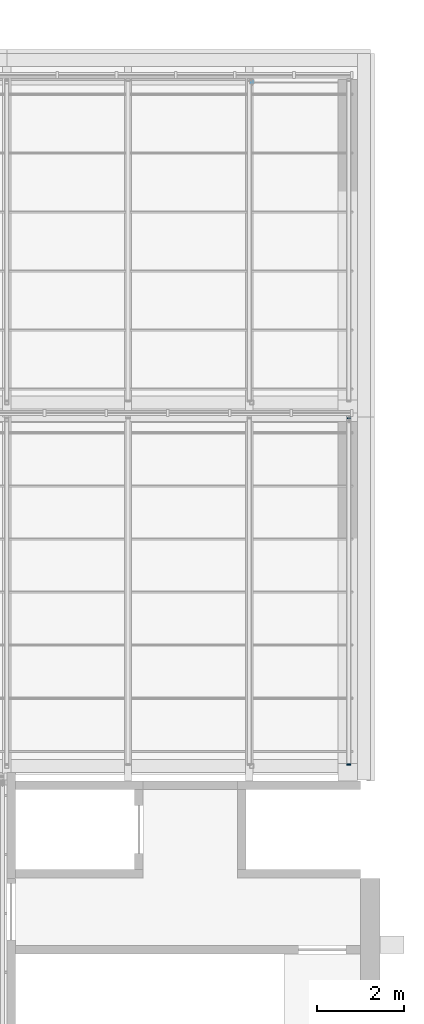
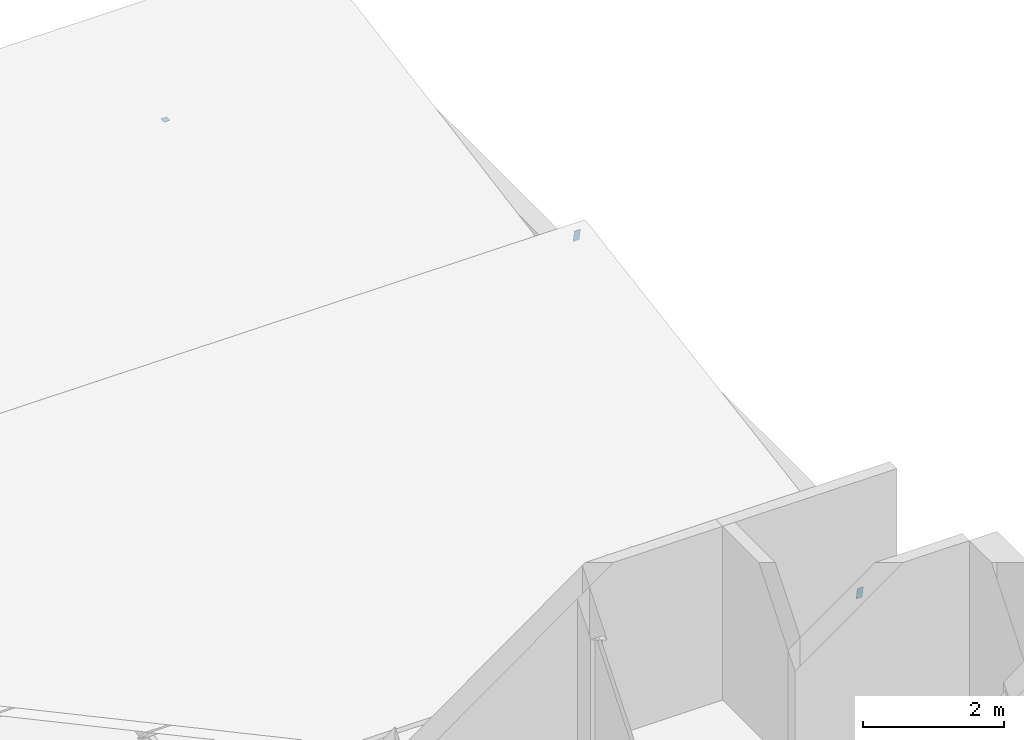
# One storey, part 31 of 33: 3 discrete accessories.
"""IFC4 building model written with IfcOpenShell, lengths in metres."""

from ifc_helpers import new_model, si_unit, direction, frame, origin, origin_2d, place, context, subcontext, project, spatial, rectangle, extrude, material, material_profile, profile_set, type_object, element, save


model = new_model("IFC4")

# Units and contexts
model_context = context("Model", 3, precision=1e-05, world=origin(), true_north=direction((0.0, 1.0)))
body_context = subcontext(model_context, "Body", "Model", "MODEL_VIEW")
ifc_project = project(units=[si_unit("LENGTHUNIT", "METRE"), si_unit("AREAUNIT", "SQUARE_METRE"), si_unit("VOLUMEUNIT", "CUBIC_METRE"), si_unit("PLANEANGLEUNIT", "RADIAN"), si_unit("MASSUNIT", "GRAM", prefix="KILO")], contexts=[model_context])

# Site, building, storey
site_placement = place(None, origin())
site = spatial("IfcSite", under=ifc_project, at=site_placement, CompositionType="ELEMENT")
building_placement = place(site_placement, origin())
building = spatial("IfcBuilding", under=site, at=building_placement, Name="Ardhachandra Cancer Care Centre", CompositionType="ELEMENT")
storey_placement = place(building_placement, frame((0.0, 0.0, 27.0)))
storey = spatial("IfcBuildingStorey", under=building, at=storey_placement, Name="Roof", CompositionType="ELEMENT", Elevation=27.0)

# Discrete accessories
ifc_material_1 = material(Name="Galvanised flat steel (Steel E250 (IS 2062))", Category="steel")
ifc_material_profile_1 = material_profile(ifc_material_1, rectangle(XDim=0.10009765625, YDim=0.199951171875, at=origin_2d()), Name="Rafter end plate 200 x 100 x 8")
ifc_profile_set_1 = profile_set([ifc_material_profile_1], Name="Galvanised flat steel (Steel E250 (IS 2062))")
discrete_accessory_type_1 = type_object("IfcDiscreteAccessoryType", Name="Rafter end plate 200 x 100 x 8", PredefinedType="BRACKET", material=ifc_profile_set_1)
for number, where, z_axis, x_axis, name in (
    (1, (144.699951171875, 88.583740234375, 0.5986328125), (0.0, -0.988012033751, -0.154376880274), (1.0, 0.0, 0.0), "Rafter end plate ST2a.13.1"),
    (2, (144.699951171875, 96.583740234375, 1.918701171875), (0.0, 0.988012033751, 0.154376880274), (-1.0, 0.0, 0.0), "Rafter end plate ST2a.13.2"),
):
    element("IfcDiscreteAccessory", number, at=place(storey_placement, frame(where, z_axis=z_axis, x_axis=x_axis)), inside=storey, type_object=discrete_accessory_type_1, Name=name, PredefinedType="BRACKET", context=body_context, shape_type="SweptSolid", body=[
        extrude(rectangle(XDim=0.10009765625, YDim=0.199951171875, at=origin_2d()), origin(), (0.0, 0.0, 1.0), 0.0078125),
    ])
ifc_material_2 = material(Name="Galvanised flat steel (Steel E250 (IS 2062))", Category="steel")
ifc_material_profile_2 = material_profile(ifc_material_2, rectangle(XDim=0.10009765625, YDim=0.10009765625, at=origin_2d()), Name="Ridge post foot plate 100 x 100 x 8")
ifc_profile_set_2 = profile_set([ifc_material_profile_2], Name="Galvanised flat steel (Steel E250 (IS 2062))")
discrete_accessory_type_2 = type_object("IfcDiscreteAccessoryType", Name="Ridge post foot plate 100 x 100 x 8", PredefinedType="BRACKET", material=ifc_profile_set_2)
discrete_accessory_placement = place(storey_placement, frame((142.4599609375, 104.35009765625, 0.0), z_axis=(0.0, 0.0, -1.0), x_axis=(1.0, 0.0, 0.0)))
element("IfcDiscreteAccessory", 3, at=discrete_accessory_placement, inside=storey, type_object=discrete_accessory_type_2, Name="Ridge post foot plate ST3a.3", PredefinedType="BRACKET", context=body_context, shape_type="SweptSolid", body=[
    extrude(rectangle(XDim=0.10009765625, YDim=0.10009765625, at=origin_2d()), origin(), (0.0, 0.0, 1.0), 0.008056640625),
])

save(model, "model.ifc")
